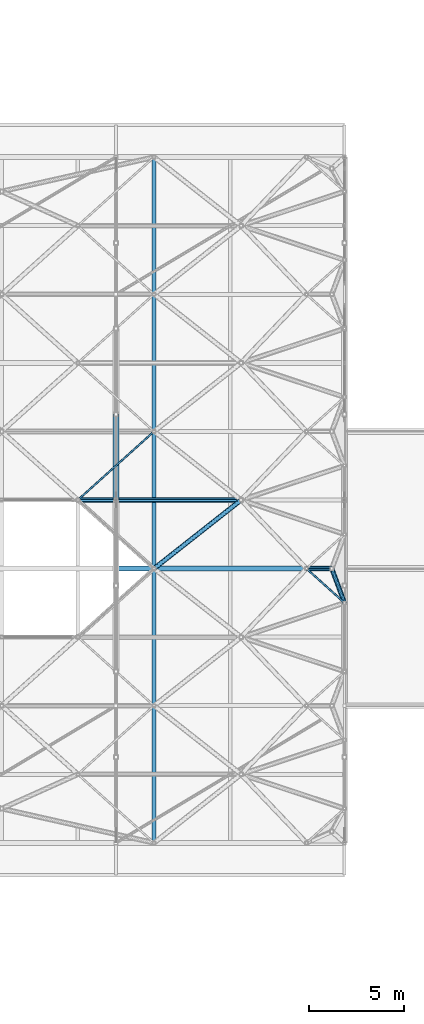
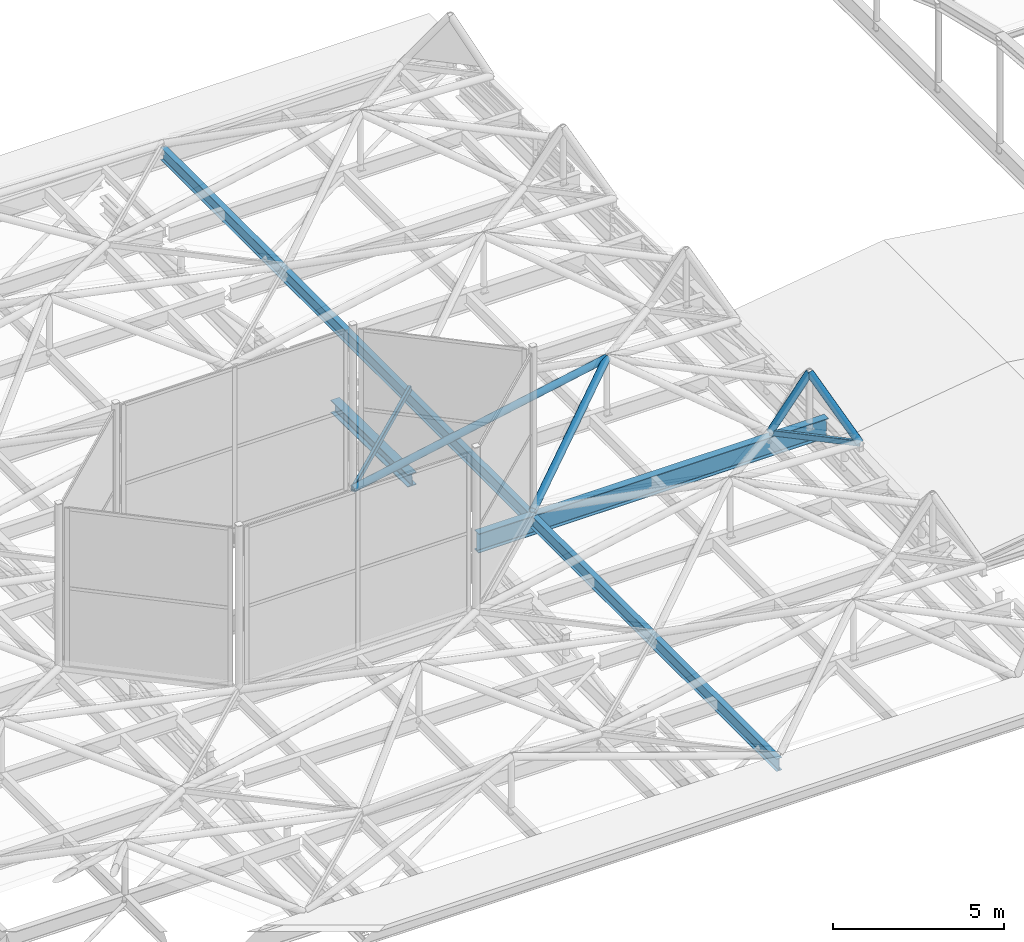
# One storey, part 134 of 239: 5 beams, 4 members.
"""IFC4 building model written with IfcOpenShell, lengths in metres."""

from ifc_helpers import new_model, si_unit, direction, frame, origin, origin_2d, place, context, subcontext, project, spatial, hollow_rectangle, hollow_circle, i_section, extrude, material, material_profile, profile_set, type_object, element, save


model = new_model("IFC4")

# Units and contexts
model_context = context("Model", 3, precision=1e-05, world=origin(), true_north=direction((0.0, 1.0)))
body_context = subcontext(model_context, "Body", "Model", "MODEL_VIEW")
ifc_project = project(units=[si_unit("LENGTHUNIT", "METRE"), si_unit("AREAUNIT", "SQUARE_METRE"), si_unit("VOLUMEUNIT", "CUBIC_METRE"), si_unit("PLANEANGLEUNIT", "RADIAN"), si_unit("MASSUNIT", "GRAM", prefix="KILO")], contexts=[model_context])

# Site, building, storey
site_placement = place(None, origin())
site = spatial("IfcSite", under=ifc_project, at=site_placement, CompositionType="ELEMENT")
building_placement = place(site_placement, origin())
building = spatial("IfcBuilding", under=site, at=building_placement, Name="Dunvalen Ferry Terminal", CompositionType="ELEMENT")
storey_placement = place(building_placement, frame((0.0, 0.0, 9.840087890625)))
storey = spatial("IfcBuildingStorey", under=building, at=storey_placement, Name="L02", CompositionType="ELEMENT", Elevation=9.840087890625)

# Beams
ifc_material = material(Name="Steel S355", Category="steel")
ifc_material_profile_1 = material_profile(ifc_material, i_section(OverallWidth=0.300048828125, OverallDepth=0.449951171875, WebThickness=0.013916015625, FlangeThickness=0.02587890625, FilletRadius=0.027099609375, at=origin_2d()), Name="Steel S355")
ifc_profile_set_1 = profile_set([ifc_material_profile_1], Name="Steel S355")
beam_type_1 = type_object("IfcBeamType", Name="STR-BM-HEB450", PredefinedType="BEAM", material=ifc_profile_set_1)
beam_1_placement = place(storey_placement, frame((84.0, 68.39990234375, 0.719970703125), z_axis=(0.0, 0.999907293085, -0.01361635908), x_axis=(-1.0, 0.0, 0.0)))
element("IfcBeam", 1, at=beam_1_placement, inside=storey, type_object=beam_type_1, Name="Departure Hall Tied-Arch Rib 07.5", PredefinedType="BEAM", context=body_context, shape_type="SweptSolid", body=[
    extrude(i_section(OverallWidth=0.300048828125, OverallDepth=0.449951171875, WebThickness=0.013916015625, FlangeThickness=0.02587890625, FilletRadius=0.027099609375, at=origin_2d()), origin(), (0.0, 0.0, 1.0), 4.50048828125),
])
ifc_material_profile_2 = material_profile(ifc_material, hollow_rectangle(XDim=0.10009765625, YDim=0.199951171875, WallThickness=0.008056640625, InnerFilletRadius=0.008056640625, OuterFilletRadius=0.01611328125, at=origin_2d()), Name="Steel S355")
ifc_profile_set_2 = profile_set([ifc_material_profile_2], Name="Steel S355")
beam_type_2 = type_object("IfcBeamType", Name="STR-BM-RHS200", PredefinedType="BEAM", material=ifc_profile_set_2)
beam_2_placement = place(storey_placement, frame((82.0, 68.39990234375, 1.099853515625), z_axis=(0.743285123004, 0.668974757313, 0.0), x_axis=(-0.668974757313, 0.743285123004, 0.0)))
element("IfcBeam", 2, at=beam_2_placement, inside=storey, type_object=beam_type_2, Name="HEX-37 Hexagonal Rim Beam 3", PredefinedType="BEAM", context=body_context, shape_type="SweptSolid", body=[
    extrude(hollow_rectangle(XDim=0.10009765625, YDim=0.199951171875, WallThickness=0.008056640625, InnerFilletRadius=0.008056640625, OuterFilletRadius=0.01611328125, at=origin_2d()), origin(), (0.0, 0.0, 1.0), 5.381591796875),
])
beam_3_placement = place(storey_placement, frame((96.0, 63.0, 1.099853515625), z_axis=(-0.743285123004, 0.668974757313, 0.0), x_axis=(-0.668974757313, -0.743285123004, 0.0)))
element("IfcBeam", 3, at=beam_3_placement, inside=storey, type_object=beam_type_2, Name="HEX-41 Hexagonal Rim Beam 5", PredefinedType="BEAM", context=body_context, shape_type="SweptSolid", body=[
    extrude(hollow_rectangle(XDim=0.10009765625, YDim=0.199951171875, WallThickness=0.008056640625, InnerFilletRadius=0.008056640625, OuterFilletRadius=0.01611328125, at=origin_2d()), origin(), (0.0, 0.0, 1.0), 2.690673828125),
])
ifc_material_profile_3 = material_profile(ifc_material, i_section(OverallWidth=0.1904296875, OverallDepth=0.45703125, WebThickness=0.009033203125, FlangeThickness=0.014404296875, FilletRadius=0.01025390625, at=origin_2d()), Name="Steel S355")
ifc_profile_set_3 = profile_set([ifc_material_profile_3], Name="Steel S355")
beam_type_3 = type_object("IfcBeamType", Name="STR-BM-UKB457", PredefinedType="BEAM", material=ifc_profile_set_3)
beam_4_placement = place(storey_placement, frame((86.0, 50.39990234375, 0.771484375), z_axis=(0.0, 1.0, 0.0), x_axis=(-1.0, 0.0, 0.0)))
element("IfcBeam", 4, at=beam_4_placement, inside=storey, type_object=beam_type_3, Name="Departure Hall Hex-Grid Cross Beam B7.1", PredefinedType="BEAM", context=body_context, shape_type="SweptSolid", body=[
    extrude(i_section(OverallWidth=0.1904296875, OverallDepth=0.45703125, WebThickness=0.009033203125, FlangeThickness=0.014404296875, FilletRadius=0.01025390625, at=origin_2d()), origin(), (0.0, 0.0, 1.0), 36.0),
])
ifc_material_profile_4 = material_profile(ifc_material, i_section(OverallWidth=0.253662109375, OverallDepth=0.68359375, WebThickness=0.012451171875, FlangeThickness=0.01904296875, FilletRadius=0.01513671875, at=origin_2d()), Name="Steel S355")
ifc_profile_set_4 = profile_set([ifc_material_profile_4], Name="Steel S355")
beam_type_4 = type_object("IfcBeamType", Name="STR-BM-UKB686", PredefinedType="BEAM", material=ifc_profile_set_4)
beam_5_placement = place(storey_placement, frame((84.10009765625, 64.800048828125, 0.658203125), z_axis=(1.0, 0.0, 0.0), x_axis=(0.0, 1.0, 0.0)))
element("IfcBeam", 5, at=beam_5_placement, inside=storey, type_object=beam_type_4, Name="Departure Hall Spine Girder B7.05", PredefinedType="BEAM", context=body_context, shape_type="SweptSolid", body=[
    extrude(i_section(OverallWidth=0.253662109375, OverallDepth=0.68359375, WebThickness=0.012451171875, FlangeThickness=0.01904296875, FilletRadius=0.01513671875, at=origin_2d()), origin(), (0.0, 0.0, 1.0), 11.7998046875),
])

# Members
ifc_material_profile_5 = material_profile(ifc_material, hollow_circle(Radius=0.122314453125, WallThickness=0.010009765625, at=origin_2d()), Name="Steel S355")
ifc_profile_set_5 = profile_set([ifc_material_profile_5], Name="Steel S355")
member_type = type_object("IfcMemberType", Name="STR-MB-CHS244", PredefinedType="STRUT", material=ifc_profile_set_5)
member_1_placement = place(storey_placement, frame((82.0, 68.39990234375, 1.099853515625), z_axis=(0.981649716778, 0.0, 0.190693034876), x_axis=(0.0, 1.0, 0.0)))
element("IfcMember", 6, at=member_1_placement, inside=storey, type_object=member_type, Name="HEX-42 Pyramid Hip Rafter 1", PredefinedType="STRUT", context=body_context, shape_type="SweptSolid", body=[
    extrude(hollow_circle(Radius=0.122314453125, WallThickness=0.010009765625, at=origin_2d()), origin(), (0.0, 0.0, 1.0), 8.7314453125),
])
member_2_placement = place(storey_placement, frame((86.0, 64.800048828125, 1.099853515625), z_axis=(0.755322072227, 0.594810080911, 0.275117311076), x_axis=(-0.618684713088, 0.78563937388, 0.0)))
element("IfcMember", 7, at=member_2_placement, inside=storey, type_object=member_type, Name="HEX-42 Pyramid Hip Rafter 2", PredefinedType="STRUT", context=body_context, shape_type="SweptSolid", body=[
    extrude(hollow_circle(Radius=0.122314453125, WallThickness=0.010009765625, at=origin_2d()), origin(), (0.0, 0.0, 1.0), 6.052001953125),
])
member_3_placement = place(storey_placement, frame((94.0, 64.800048828125, 1.099853515625), z_axis=(0.625043936243, 0.0, 0.780589570624), x_axis=(0.0, 1.0, 0.0)))
element("IfcMember", 8, at=member_3_placement, inside=storey, type_object=member_type, Name="HEX-47 Pyramid Hip Rafter 2", PredefinedType="STRUT", context=body_context, shape_type="SweptSolid", body=[
    extrude(hollow_circle(Radius=0.122314453125, WallThickness=0.010009765625, at=origin_2d()), origin(), (0.0, 0.0, 1.0), 2.133056640625),
])
member_4_placement = place(storey_placement, frame((96.0, 63.0, 1.099853515625), z_axis=(-0.262387740737, 0.708379645717, 0.65524877035), x_axis=(-0.937738020856, -0.34734335209, 0.0)))
element("IfcMember", 9, at=member_4_placement, inside=storey, type_object=member_type, Name="HEX-47 Pyramid Hip Rafter 3", PredefinedType="STRUT", context=body_context, shape_type="SweptSolid", body=[
    extrude(hollow_circle(Radius=0.122314453125, WallThickness=0.010009765625, at=origin_2d()), origin(), (0.0, 0.0, 1.0), 2.541015625),
])

save(model, "model.ifc")
